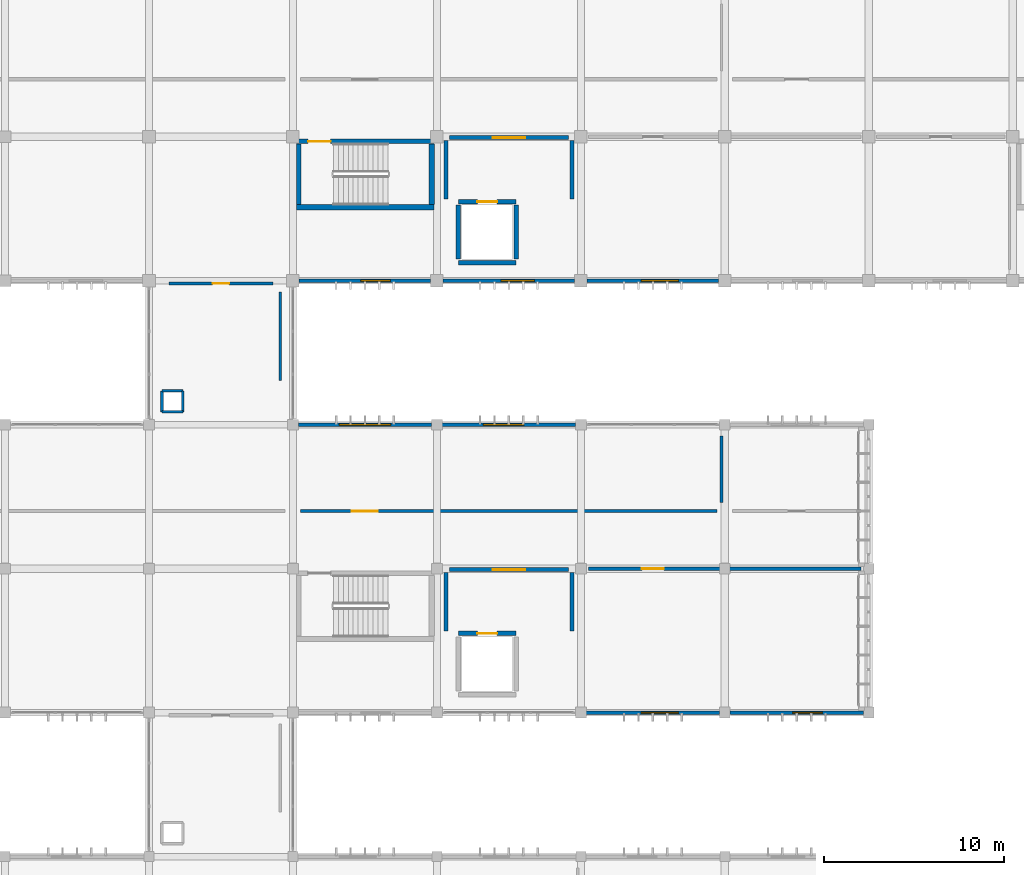
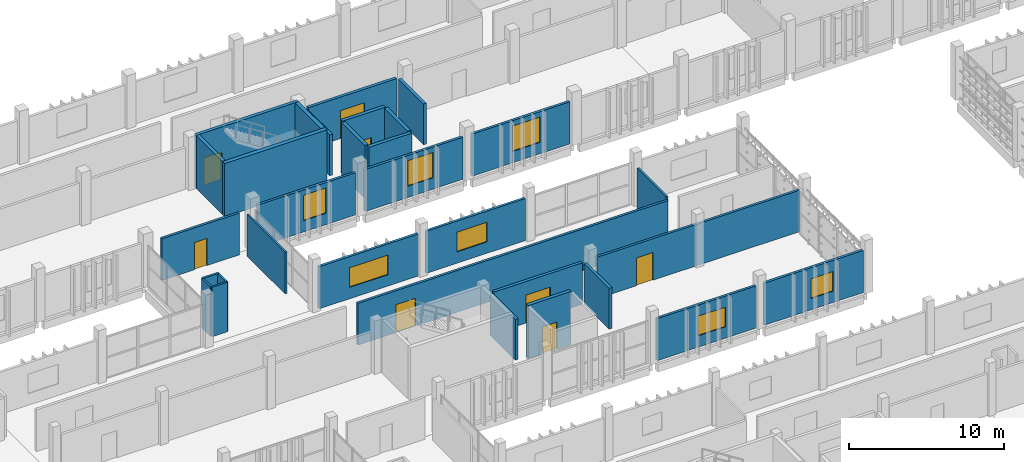
# One storey, part 68 of 83: 31 walls, 8 doors, 7 windows, 15 openings.
"""IFC4 building model written with IfcOpenShell, lengths in metres."""

from ifc_helpers import new_model, si_unit, direction, frame, frame_2d, origin, place, context, subcontext, project, spatial, rectangle, extrude, material, layer, layer_set, type_object, element, fill, save


model = new_model("IFC4")

# Units and contexts
model_context = context("Model", 3, precision=1e-05, world=origin(), true_north=direction((0.0, 1.0)))
body_context = subcontext(model_context, "Body", "Model", "MODEL_VIEW")
ifc_project = project(units=[si_unit("LENGTHUNIT", "METRE"), si_unit("AREAUNIT", "SQUARE_METRE"), si_unit("VOLUMEUNIT", "CUBIC_METRE"), si_unit("PLANEANGLEUNIT", "RADIAN"), si_unit("MASSUNIT", "GRAM", prefix="KILO")], contexts=[model_context])

# Site, building, storey
site_placement = place(None, origin())
site = spatial("IfcSite", under=ifc_project, at=site_placement, CompositionType="ELEMENT")
building_placement = place(site_placement, origin())
building = spatial("IfcBuilding", under=site, at=building_placement, Name="Jelvoka-Kovrelna Polytechnic", CompositionType="ELEMENT")
storey_placement = place(building_placement, frame((0.0, 0.0, 13.800048828125)))
storey = spatial("IfcBuildingStorey", under=building, at=storey_placement, Name="L04", CompositionType="ELEMENT", Elevation=13.800048828125)

# Wall, opening, door
ifc_material_1 = material(Name="Concrete C35/45", Category="concrete")
ifc_layer_1 = layer(ifc_material_1, 0.219970703125)
ifc_layer_set_1 = layer_set([ifc_layer_1], Name="Concrete C35/45")
wall_type_1 = type_object("IfcWallType", Name="Wall_Compartment_220", PredefinedType="PARTITIONING", material=ifc_layer_set_1)
wall_1_placement = place(storey_placement, frame((88.699951171875, 63.949951171875, 0.0), z_axis=(0.0, 0.0, 1.0), x_axis=(1.0, 0.0, 0.0)))
wall_1 = element("IfcWall", 1, at=wall_1_placement, inside=storey, type_object=wall_type_1, Name="L04 interior wall 0289", PredefinedType="PARTITIONING", context=body_context, shape_type="SweptSolid", body=[
    extrude(rectangle(XDim=6.60009765625, YDim=0.219970703125, at=frame_2d((3.300048828125, 0.0))), origin(), (0.0, 0.0, 1.0), 3.27490234375),
])
opening_1_placement = place(wall_1_placement, frame((2.39990234375, 0.0, 0.0)))
opening_1 = element("IfcOpeningElement", 2, at=opening_1_placement, cuts=wall_1, Name="Opening FD-L04-068", PredefinedType="OPENING", context=body_context, shape_type="SweptSolid", body=[
    extrude(rectangle(XDim=1.800048828125, YDim=2.199951171875, at=frame_2d((0.89990234375, 1.10009765625))), frame((0.0, 0.119873046875, 0.0), z_axis=(0.0, -1.0, 0.0), x_axis=(1.0, 0.0, 0.0)), (0.0, 0.0, 1.0), 0.239990234375),
])
ifc_material_2 = material(Name="Paired steel corridor fire door", Category="steel")
door_type_1 = type_object("IfcDoorType", Name="Door_Fire_FD03", OperationType="NOTDEFINED", PredefinedType="DOOR", material=ifc_material_2)
door_1_placement = place(opening_1_placement, origin())
door_1 = element("IfcDoor", 3, at=door_1_placement, inside=storey, type_object=door_type_1, Name="L04 interior door FD-L04-068", OperationType="DOUBLE_DOOR_SINGLE_SWING", OverallHeight=2.199951171875, OverallWidth=1.800048828125, PredefinedType="DOOR", context=body_context, shape_type="SweptSolid", body=[
    extrude(rectangle(XDim=1.800048828125, YDim=2.199951171875, at=frame_2d((0.89990234375, 1.10009765625))), frame((0.0, 0.02490234375, 0.0), z_axis=(0.0, -1.0, 0.0), x_axis=(1.0, 0.0, 0.0)), (0.0, 0.0, 1.0), 0.050048828125),
])
fill(opening_1, door_1)

# Walls
for number, where, z_axis, x_axis, name in (
    (4, (88.5, 60.550048828125, 0.0), (0.0, 0.0, 1.0), (0.0, 1.0, 0.0), "L04 interior wall 0290"),
    (5, (95.5, 60.550048828125, 0.0), (0.0, 0.0, 1.0), (0.0, 1.0, 0.0), "L04 interior wall 0291"),
):
    element("IfcWall", number, at=place(storey_placement, frame(where, z_axis=z_axis, x_axis=x_axis)), inside=storey, type_object=wall_type_1, Name=name, PredefinedType="PARTITIONING", context=body_context, shape_type="SweptSolid", body=[
        extrude(rectangle(XDim=3.25, YDim=0.219970703125, at=frame_2d((1.625, 0.0))), origin(), (0.0, 0.0, 1.0), 3.224853515625),
    ])

# Wall, opening, door
wall_2_placement = place(storey_placement, frame((88.699951171875, 39.949951171875, 0.0), z_axis=(0.0, 0.0, 1.0), x_axis=(1.0, 0.0, 0.0)))
wall_2 = element("IfcWall", 6, at=wall_2_placement, inside=storey, type_object=wall_type_1, Name="L04 interior wall 0431", PredefinedType="PARTITIONING", context=body_context, shape_type="SweptSolid", body=[
    extrude(rectangle(XDim=6.60009765625, YDim=0.219970703125, at=frame_2d((3.300048828125, 0.0))), origin(), (0.0, 0.0, 1.0), 3.27490234375),
])
opening_2_placement = place(wall_2_placement, frame((2.39990234375, 0.0, 0.0)))
opening_2 = element("IfcOpeningElement", 7, at=opening_2_placement, cuts=wall_2, Name="Opening FD-L04-086", PredefinedType="OPENING", context=body_context, shape_type="SweptSolid", body=[
    extrude(rectangle(XDim=1.800048828125, YDim=2.199951171875, at=frame_2d((0.89990234375, 1.10009765625))), frame((0.0, 0.119873046875, 0.0), z_axis=(0.0, -1.0, 0.0), x_axis=(1.0, 0.0, 0.0)), (0.0, 0.0, 1.0), 0.239990234375),
])
door_2_placement = place(opening_2_placement, origin())
door_2 = element("IfcDoor", 8, at=door_2_placement, inside=storey, type_object=door_type_1, Name="L04 interior door FD-L04-086", OperationType="DOUBLE_DOOR_SINGLE_SWING", OverallHeight=2.199951171875, OverallWidth=1.800048828125, PredefinedType="DOOR", context=body_context, shape_type="SweptSolid", body=[
    extrude(rectangle(XDim=1.800048828125, YDim=2.199951171875, at=frame_2d((0.89990234375, 1.10009765625))), frame((0.0, 0.02490234375, 0.0), z_axis=(0.0, -1.0, 0.0), x_axis=(1.0, 0.0, 0.0)), (0.0, 0.0, 1.0), 0.050048828125),
])
fill(opening_2, door_2)

# Walls
for number, where, z_axis, x_axis, name in (
    (9, (88.5, 36.550048828125, 0.0), (0.0, 0.0, 1.0), (0.0, 1.0, 0.0), "L04 interior wall 0432"),
    (10, (95.5, 36.550048828125, 0.0), (0.0, 0.0, 1.0), (0.0, 1.0, 0.0), "L04 interior wall 0433"),
):
    element("IfcWall", number, at=place(storey_placement, frame(where, z_axis=z_axis, x_axis=x_axis)), inside=storey, type_object=wall_type_1, Name=name, PredefinedType="PARTITIONING", context=body_context, shape_type="SweptSolid", body=[
        extrude(rectangle(XDim=3.25, YDim=0.219970703125, at=frame_2d((1.625, 0.0))), origin(), (0.0, 0.0, 1.0), 3.224853515625),
    ])

# Wall, opening, door
ifc_material_3 = material(Name="Concrete C40/50", Category="concrete")
ifc_layer_2 = layer(ifc_material_3, 0.25)
ifc_layer_set_2 = layer_set([ifc_layer_2], Name="Concrete C40/50")
wall_type_2 = type_object("IfcWallType", Name="Wall_Core_250", PredefinedType="SOLIDWALL", material=ifc_layer_set_2)
wall_3_placement = place(storey_placement, frame((80.199951171875, 63.739990234375, 0.0), z_axis=(0.0, 0.0, 1.0), x_axis=(1.0, 0.0, 0.0)))
wall_3 = element("IfcWall", 11, at=wall_3_placement, inside=storey, type_object=wall_type_2, Name="L04 interior wall 0163", PredefinedType="SOLIDWALL", context=body_context, shape_type="SweptSolid", body=[
    extrude(rectangle(XDim=7.650146484375, YDim=0.25, at=frame_2d((3.8251953125, 0.0))), origin(), (0.0, 0.0, 1.0), 4.199951171875),
])
opening_3_placement = place(wall_3_placement, frame((0.64990234375, 0.0, 0.0)))
opening_3 = element("IfcOpeningElement", 12, at=opening_3_placement, cuts=wall_3, Name="Opening SD-L04-041", PredefinedType="OPENING", context=body_context, shape_type="SweptSolid", body=[
    extrude(rectangle(XDim=1.25, YDim=2.14990234375, at=frame_2d((0.625, 1.074951171875))), frame((0.0, 0.135009765625, 0.0), z_axis=(0.0, -1.0, 0.0), x_axis=(1.0, 0.0, 0.0)), (0.0, 0.0, 1.0), 0.27001953125),
])
ifc_material_4 = material(Name="Powder-coated steel fire door", Category="steel")
door_type_2 = type_object("IfcDoorType", Name="Door_Fire_FD02", OperationType="NOTDEFINED", PredefinedType="DOOR", material=ifc_material_4)
door_3_placement = place(opening_3_placement, origin())
door_3 = element("IfcDoor", 13, at=door_3_placement, inside=storey, type_object=door_type_2, Name="L04 interior door SD-L04-041", OperationType="SINGLE_SWING_LEFT", OverallHeight=2.14990234375, OverallWidth=1.25, PredefinedType="DOOR", context=body_context, shape_type="SweptSolid", body=[
    extrude(rectangle(XDim=1.25, YDim=2.14990234375, at=frame_2d((0.625, 1.074951171875))), frame((0.0, 0.02490234375, 0.0), z_axis=(0.0, -1.0, 0.0), x_axis=(1.0, 0.0, 0.0)), (0.0, 0.0, 1.0), 0.050048828125),
])
fill(opening_3, door_3)

# Walls
wall_4_placement = place(storey_placement, frame((80.324951171875, 60.25, 0.0), z_axis=(0.0, 0.0, 1.0), x_axis=(0.0, 1.0, 0.0)))
element("IfcWall", 14, at=wall_4_placement, inside=storey, type_object=wall_type_2, Name="L04 interior wall 0164", PredefinedType="SOLIDWALL", context=body_context, shape_type="SweptSolid", body=[
    extrude(rectangle(XDim=3.360107421875, YDim=0.25, at=frame_2d((1.68017578125, 0.0))), origin(), (0.0, 0.0, 1.0), 4.199951171875),
])
wall_5_placement = place(storey_placement, frame((89.199951171875, 57.0, 0.0), z_axis=(0.0, 0.0, 1.0), x_axis=(1.0, 0.0, 0.0)))
element("IfcWall", 15, at=wall_5_placement, inside=storey, type_object=wall_type_2, Name="L04 interior wall 0285", PredefinedType="SOLIDWALL", context=body_context, shape_type="SweptSolid", body=[
    extrude(rectangle(XDim=3.199951171875, YDim=0.25, at=frame_2d((1.60009765625, 0.0))), origin(), (0.0, 0.0, 1.0), 4.199951171875),
])

# Wall, opening, door
wall_6_placement = place(storey_placement, frame((89.199951171875, 60.39990234375, 0.0), z_axis=(0.0, 0.0, 1.0), x_axis=(1.0, 0.0, 0.0)))
wall_6 = element("IfcWall", 16, at=wall_6_placement, inside=storey, type_object=wall_type_2, Name="L04 interior wall 0286", PredefinedType="SOLIDWALL", context=body_context, shape_type="SweptSolid", body=[
    extrude(rectangle(XDim=3.199951171875, YDim=0.25, at=frame_2d((1.60009765625, 0.0))), origin(), (0.0, 0.0, 1.0), 4.199951171875),
])
opening_4_placement = place(wall_6_placement, frame((1.050048828125, 0.0, 0.0)))
opening_4 = element("IfcOpeningElement", 17, at=opening_4_placement, cuts=wall_6, Name="Opening LD-L04-05", PredefinedType="OPENING", context=body_context, shape_type="SweptSolid", body=[
    extrude(rectangle(XDim=1.10009765625, YDim=2.14990234375, at=frame_2d((0.550048828125, 1.074951171875))), frame((0.0, 0.135009765625, 0.0), z_axis=(0.0, -1.0, 0.0), x_axis=(1.0, 0.0, 0.0)), (0.0, 0.0, 1.0), 0.27001953125),
])
ifc_material_5 = material(Name="Brushed stainless steel sliding landing door", Category="steel")
door_type_3 = type_object("IfcDoorType", Name="Door_Lift_LD01", OperationType="NOTDEFINED", PredefinedType="DOOR", material=ifc_material_5)
door_4_placement = place(opening_4_placement, origin())
door_4 = element("IfcDoor", 18, at=door_4_placement, inside=storey, type_object=door_type_3, Name="L04 lift landing sliding door LD-L04-05", OperationType="DOUBLE_DOOR_SLIDING", OverallHeight=2.14990234375, OverallWidth=1.10009765625, PredefinedType="DOOR", context=body_context, shape_type="SweptSolid", body=[
    extrude(rectangle(XDim=1.10009765625, YDim=2.14990234375, at=frame_2d((0.550048828125, 1.074951171875))), frame((0.0, 0.02490234375, 0.0), z_axis=(0.0, -1.0, 0.0), x_axis=(1.0, 0.0, 0.0)), (0.0, 0.0, 1.0), 0.050048828125),
])
fill(opening_4, door_4)

# Walls
for number, where, z_axis, x_axis, name in (
    (19, (89.199951171875, 57.199951171875, 0.0), (0.0, 0.0, 1.0), (0.0, 1.0, 0.0), "L04 interior wall 0287"),
    (20, (92.39990234375, 57.199951171875, 0.0), (0.0, 0.0, 1.0), (0.0, 1.0, 0.0), "L04 interior wall 0288"),
):
    element("IfcWall", number, at=place(storey_placement, frame(where, z_axis=z_axis, x_axis=x_axis)), inside=storey, type_object=wall_type_2, Name=name, PredefinedType="SOLIDWALL", context=body_context, shape_type="SweptSolid", body=[
        extrude(rectangle(XDim=3.0, YDim=0.25, at=frame_2d((1.5, 0.0))), origin(), (0.0, 0.0, 1.0), 4.199951171875),
    ])

# Wall, opening, door
wall_7_placement = place(storey_placement, frame((89.199951171875, 36.39990234375, 0.0), z_axis=(0.0, 0.0, 1.0), x_axis=(1.0, 0.0, 0.0)))
wall_7 = element("IfcWall", 21, at=wall_7_placement, inside=storey, type_object=wall_type_2, Name="L04 interior wall 0428", PredefinedType="SOLIDWALL", context=body_context, shape_type="SweptSolid", body=[
    extrude(rectangle(XDim=3.199951171875, YDim=0.25, at=frame_2d((1.60009765625, 0.0))), origin(), (0.0, 0.0, 1.0), 4.199951171875),
])
opening_5_placement = place(wall_7_placement, frame((1.050048828125, 0.0, 0.0)))
opening_5 = element("IfcOpeningElement", 22, at=opening_5_placement, cuts=wall_7, Name="Opening LD-L04-23", PredefinedType="OPENING", context=body_context, shape_type="SweptSolid", body=[
    extrude(rectangle(XDim=1.10009765625, YDim=2.14990234375, at=frame_2d((0.550048828125, 1.074951171875))), frame((0.0, 0.135009765625, 0.0), z_axis=(0.0, -1.0, 0.0), x_axis=(1.0, 0.0, 0.0)), (0.0, 0.0, 1.0), 0.27001953125),
])
door_5_placement = place(opening_5_placement, origin())
door_5 = element("IfcDoor", 23, at=door_5_placement, inside=storey, type_object=door_type_3, Name="L04 lift landing sliding door LD-L04-23", OperationType="DOUBLE_DOOR_SLIDING", OverallHeight=2.14990234375, OverallWidth=1.10009765625, PredefinedType="DOOR", context=body_context, shape_type="SweptSolid", body=[
    extrude(rectangle(XDim=1.10009765625, YDim=2.14990234375, at=frame_2d((0.550048828125, 1.074951171875))), frame((0.0, 0.02490234375, 0.0), z_axis=(0.0, -1.0, 0.0), x_axis=(1.0, 0.0, 0.0)), (0.0, 0.0, 1.0), 0.050048828125),
])
fill(opening_5, door_5)

ifc_material_6 = material(Name="Autoclaved aerated concrete blockwork", Category="masonry")
ifc_layer_3 = layer(ifc_material_6, 0.179931640625)
ifc_layer_set_3 = layer_set([ifc_layer_3], Name="Autoclaved aerated concrete blockwork")
wall_type_3 = type_object("IfcWallType", Name="Wall_Corridor_180", PredefinedType="PARTITIONING", material=ifc_layer_set_3)
wall_8_placement = place(storey_placement, frame((96.429931640625, 40.0, 0.0), z_axis=(0.0, 0.0, 1.0), x_axis=(1.0, 0.0, 0.0)))
wall_8 = element("IfcWall", 24, at=wall_8_placement, inside=storey, type_object=wall_type_3, Name="L04 interior wall 1123", PredefinedType="PARTITIONING", context=body_context, shape_type="SweptSolid", body=[
    extrude(rectangle(XDim=15.14013671875, YDim=0.179931640625, at=frame_2d((7.570068359375, 0.0))), origin(), (0.0, 0.0, 1.0), 3.27490234375),
])
opening_6_placement = place(wall_8_placement, frame((2.9599609375, 0.0, 0.0)))
opening_6 = element("IfcOpeningElement", 25, at=opening_6_placement, cuts=wall_8, Name="Opening D-L04-340", PredefinedType="OPENING", context=body_context, shape_type="SweptSolid", body=[
    extrude(rectangle(XDim=1.219970703125, YDim=2.179931640625, at=frame_2d((0.60986328125, 1.08984375))), frame((0.0, 0.099853515625, 0.0), z_axis=(0.0, -1.0, 0.0), x_axis=(1.0, 0.0, 0.0)), (0.0, 0.0, 1.0), 0.199951171875),
])
ifc_material_7 = material(Name="Hardwood fire-resisting laboratory door", Category="wood")
door_type_4 = type_object("IfcDoorType", Name="Door_Fire_FD30_04", OperationType="NOTDEFINED", PredefinedType="DOOR", material=ifc_material_7)
door_6_placement = place(opening_6_placement, origin())
door_6 = element("IfcDoor", 26, at=door_6_placement, inside=storey, type_object=door_type_4, Name="L04 interior door D-L04-340", OperationType="SINGLE_SWING_RIGHT", OverallHeight=2.179931640625, OverallWidth=1.219970703125, PredefinedType="DOOR", context=body_context, shape_type="SweptSolid", body=[
    extrude(rectangle(XDim=1.219970703125, YDim=2.179931640625, at=frame_2d((0.60986328125, 1.08984375))), frame((0.0, 0.02490234375, 0.0), z_axis=(0.0, -1.0, 0.0), x_axis=(1.0, 0.0, 0.0)), (0.0, 0.0, 1.0), 0.050048828125),
])
fill(opening_6, door_6)

wall_9_placement = place(storey_placement, frame((80.429931640625, 43.199951171875, 0.0), z_axis=(0.0, 0.0, 1.0), x_axis=(1.0, 0.0, 0.0)))
wall_9 = element("IfcWall", 27, at=wall_9_placement, inside=storey, type_object=wall_type_3, Name="L04 interior wall 1125", PredefinedType="PARTITIONING", context=body_context, shape_type="SweptSolid", body=[
    extrude(rectangle(XDim=23.14013671875, YDim=0.179931640625, at=frame_2d((11.570068359375, 0.0))), origin(), (0.0, 0.0, 1.0), 3.300048828125),
])
opening_7_placement = place(wall_9_placement, frame((2.85009765625, 0.0, 0.0)))
opening_7 = element("IfcOpeningElement", 28, at=opening_7_placement, cuts=wall_9, Name="Opening D-L04-342", PredefinedType="OPENING", context=body_context, shape_type="SweptSolid", body=[
    extrude(rectangle(XDim=1.43994140625, YDim=2.199951171875, at=frame_2d((0.719970703125, 1.10009765625))), frame((0.0, 0.099853515625, 0.0), z_axis=(0.0, -1.0, 0.0), x_axis=(1.0, 0.0, 0.0)), (0.0, 0.0, 1.0), 0.199951171875),
])
ifc_material_8 = material(Name="Paired hardwood fire-resisting lab door", Category="wood")
door_type_5 = type_object("IfcDoorType", Name="Door_Fire_FD30_06", OperationType="NOTDEFINED", PredefinedType="DOOR", material=ifc_material_8)
door_7_placement = place(opening_7_placement, origin())
door_7 = element("IfcDoor", 29, at=door_7_placement, inside=storey, type_object=door_type_5, Name="L04 interior door D-L04-342", OperationType="DOUBLE_DOOR_SINGLE_SWING", OverallHeight=2.199951171875, OverallWidth=1.43994140625, PredefinedType="DOOR", context=body_context, shape_type="SweptSolid", body=[
    extrude(rectangle(XDim=1.43994140625, YDim=2.199951171875, at=frame_2d((0.719970703125, 1.10009765625))), frame((0.0, 0.02490234375, 0.0), z_axis=(0.0, -1.0, 0.0), x_axis=(1.0, 0.0, 0.0)), (0.0, 0.0, 1.0), 0.050048828125),
])
fill(opening_7, door_7)

wall_10_placement = place(storey_placement, frame((73.10009765625, 55.85009765625, 0.0), z_axis=(0.0, 0.0, 1.0), x_axis=(1.0, 0.0, 0.0)))
wall_10 = element("IfcWall", 30, at=wall_10_placement, inside=storey, type_object=wall_type_3, Name="L04 interior wall 1155", PredefinedType="PARTITIONING", context=body_context, shape_type="SweptSolid", body=[
    extrude(rectangle(XDim=5.7998046875, YDim=0.179931640625, at=frame_2d((2.89990234375, 0.0))), origin(), (0.0, 0.0, 1.0), 3.300048828125),
])
opening_8_placement = place(wall_10_placement, frame((2.43994140625, 0.0, 0.0)))
opening_8 = element("IfcOpeningElement", 31, at=opening_8_placement, cuts=wall_10, Name="Opening D-L04-363", PredefinedType="OPENING", context=body_context, shape_type="SweptSolid", body=[
    extrude(rectangle(XDim=0.919921875, YDim=2.14990234375, at=frame_2d((0.4599609375, 1.074951171875))), frame((0.0, 0.099853515625, 0.0), z_axis=(0.0, -1.0, 0.0), x_axis=(1.0, 0.0, 0.0)), (0.0, 0.0, 1.0), 0.199951171875),
])
ifc_material_9 = material(Name="Hardwood solid-core door", Category="wood")
door_type_6 = type_object("IfcDoorType", Name="Door_Int_D06", OperationType="NOTDEFINED", PredefinedType="DOOR", material=ifc_material_9)
door_8_placement = place(opening_8_placement, origin())
door_8 = element("IfcDoor", 32, at=door_8_placement, inside=storey, type_object=door_type_6, Name="L04 interior door D-L04-363", OperationType="SINGLE_SWING_RIGHT", OverallHeight=2.14990234375, OverallWidth=0.919921875, PredefinedType="DOOR", context=body_context, shape_type="SweptSolid", body=[
    extrude(rectangle(XDim=0.919921875, YDim=2.14990234375, at=frame_2d((0.4599609375, 1.074951171875))), frame((0.0, 0.02490234375, 0.0), z_axis=(0.0, -1.0, 0.0), x_axis=(1.0, 0.0, 0.0)), (0.0, 0.0, 1.0), 0.050048828125),
])
fill(opening_8, door_8)

# Wall, opening, window
ifc_material_10 = material(Name="Precast concrete C40/50", Category="concrete")
ifc_layer_4 = layer(ifc_material_10, 0.18505859375)
ifc_layer_set_4 = layer_set([ifc_layer_4], Name="Precast concrete C40/50")
wall_type_4 = type_object("IfcWallType", Name="Wall_Ext_White_260", PredefinedType="STANDARD", material=ifc_layer_set_4)
wall_11_placement = place(storey_placement, frame((80.297119140625, 48.0, 0.0), z_axis=(0.0, 0.0, 1.0), x_axis=(1.0, 0.0, 0.0)))
wall_11 = element("IfcWall", 33, at=wall_11_placement, inside=storey, type_object=wall_type_4, Name="L04 exterior wall 0403", PredefinedType="STANDARD", context=body_context, shape_type="SweptSolid", body=[
    extrude(rectangle(XDim=7.40576171875, YDim=0.18505859375, at=frame_2d((3.702880859375, 0.0))), origin(), (0.0, 0.0, 1.0), 3.324951171875),
])
opening_9_placement = place(wall_11_placement, frame((2.282958984375, 0.0, 0.89990234375)))
opening_9 = element("IfcOpeningElement", 34, at=opening_9_placement, cuts=wall_11, Name="Opening W-L04-140", PredefinedType="OPENING", context=body_context, shape_type="SweptSolid", body=[
    extrude(rectangle(XDim=2.85009765625, YDim=1.550048828125, at=frame_2d((1.425048828125, 0.77490234375))), frame((0.0, 0.1025390625, 0.0), z_axis=(0.0, -1.0, 0.0), x_axis=(1.0, 0.0, 0.0)), (0.0, 0.0, 1.0), 0.205078125),
])
ifc_material_11 = material(Name="Thermally broken anodised aluminium and low-e glazing", Category="aluminium")
window_type_1 = type_object("IfcWindowType", Name="Win_Casement_W30", PartitioningType="DOUBLE_PANEL_VERTICAL", PredefinedType="WINDOW", material=ifc_material_11)
window_1_placement = place(opening_9_placement, origin())
window_1 = element("IfcWindow", 35, at=window_1_placement, inside=storey, type_object=window_type_1, Name="L04 aluminium casement window W-L04-140", OverallHeight=1.550048828125, OverallWidth=2.85009765625, PartitioningType="DOUBLE_PANEL_VERTICAL", PredefinedType="WINDOW", context=body_context, shape_type="SweptSolid", body=[
    extrude(rectangle(XDim=2.85009765625, YDim=1.550048828125, at=frame_2d((1.425048828125, 0.77490234375))), frame((0.0, 0.030029296875, 0.0), z_axis=(0.0, -1.0, 0.0), x_axis=(1.0, 0.0, 0.0)), (0.0, 0.0, 1.0), 0.06005859375),
])
fill(opening_9, window_1)

wall_12_placement = place(storey_placement, frame((88.297119140625, 48.0, 0.0), z_axis=(0.0, 0.0, 1.0), x_axis=(1.0, 0.0, 0.0)))
wall_12 = element("IfcWall", 36, at=wall_12_placement, inside=storey, type_object=wall_type_4, Name="L04 exterior wall 0404", PredefinedType="STANDARD", context=body_context, shape_type="SweptSolid", body=[
    extrude(rectangle(XDim=7.40576171875, YDim=0.18505859375, at=frame_2d((3.702880859375, 0.0))), origin(), (0.0, 0.0, 1.0), 3.324951171875),
])
opening_10_placement = place(wall_12_placement, frame((2.282958984375, 0.0, 0.89990234375)))
opening_10 = element("IfcOpeningElement", 37, at=opening_10_placement, cuts=wall_12, Name="Opening W-L04-141", PredefinedType="OPENING", context=body_context, shape_type="SweptSolid", body=[
    extrude(rectangle(XDim=2.25, YDim=1.550048828125, at=frame_2d((1.125, 0.77490234375))), frame((0.0, 0.1025390625, 0.0), z_axis=(0.0, -1.0, 0.0), x_axis=(1.0, 0.0, 0.0)), (0.0, 0.0, 1.0), 0.205078125),
])
ifc_material_12 = material(Name="Thermally broken anodised aluminium and low-e glazing", Category="aluminium")
window_type_2 = type_object("IfcWindowType", Name="Win_Casement_W27", PartitioningType="DOUBLE_PANEL_VERTICAL", PredefinedType="WINDOW", material=ifc_material_12)
window_2_placement = place(opening_10_placement, origin())
window_2 = element("IfcWindow", 38, at=window_2_placement, inside=storey, type_object=window_type_2, Name="L04 aluminium casement window W-L04-141", OverallHeight=1.550048828125, OverallWidth=2.25, PartitioningType="DOUBLE_PANEL_VERTICAL", PredefinedType="WINDOW", context=body_context, shape_type="SweptSolid", body=[
    extrude(rectangle(XDim=2.25, YDim=1.550048828125, at=frame_2d((1.125, 0.77490234375))), frame((0.0, 0.030029296875, 0.0), z_axis=(0.0, -1.0, 0.0), x_axis=(1.0, 0.0, 0.0)), (0.0, 0.0, 1.0), 0.06005859375),
])
fill(opening_10, window_2)

wall_13_placement = place(storey_placement, frame((103.702880859375, 32.0, 0.0), z_axis=(0.0, 0.0, 1.0), x_axis=(-1.0, 0.0, 0.0)))
wall_13 = element("IfcWall", 39, at=wall_13_placement, inside=storey, type_object=wall_type_4, Name="L04 exterior wall 0405", PredefinedType="STANDARD", context=body_context, shape_type="SweptSolid", body=[
    extrude(rectangle(XDim=7.40576171875, YDim=0.18505859375, at=frame_2d((3.702880859375, 0.0))), origin(), (0.0, 0.0, 1.0), 3.324951171875),
])
opening_11_placement = place(wall_13_placement, frame((2.282958984375, 0.0, 0.89990234375)))
opening_11 = element("IfcOpeningElement", 40, at=opening_11_placement, cuts=wall_13, Name="Opening W-L04-142", PredefinedType="OPENING", context=body_context, shape_type="SweptSolid", body=[
    extrude(rectangle(XDim=2.050048828125, YDim=1.550048828125, at=frame_2d((1.02490234375, 0.77490234375))), frame((0.0, 0.1025390625, 0.0), z_axis=(0.0, -1.0, 0.0), x_axis=(1.0, 0.0, 0.0)), (0.0, 0.0, 1.0), 0.205078125),
])
ifc_material_13 = material(Name="Thermally broken anodised aluminium and low-e glazing", Category="aluminium")
window_type_3 = type_object("IfcWindowType", Name="Win_Casement_W26", PartitioningType="DOUBLE_PANEL_VERTICAL", PredefinedType="WINDOW", material=ifc_material_13)
window_3_placement = place(opening_11_placement, origin())
window_3 = element("IfcWindow", 41, at=window_3_placement, inside=storey, type_object=window_type_3, Name="L04 aluminium casement window W-L04-142", OverallHeight=1.550048828125, OverallWidth=2.050048828125, PartitioningType="DOUBLE_PANEL_VERTICAL", PredefinedType="WINDOW", context=body_context, shape_type="SweptSolid", body=[
    extrude(rectangle(XDim=2.050048828125, YDim=1.550048828125, at=frame_2d((1.02490234375, 0.77490234375))), frame((0.0, 0.030029296875, 0.0), z_axis=(0.0, -1.0, 0.0), x_axis=(1.0, 0.0, 0.0)), (0.0, 0.0, 1.0), 0.06005859375),
])
fill(opening_11, window_3)

wall_14_placement = place(storey_placement, frame((111.702880859375, 32.0, 0.0), z_axis=(0.0, 0.0, 1.0), x_axis=(-1.0, 0.0, 0.0)))
wall_14 = element("IfcWall", 42, at=wall_14_placement, inside=storey, type_object=wall_type_4, Name="L04 exterior wall 0406", PredefinedType="STANDARD", context=body_context, shape_type="SweptSolid", body=[
    extrude(rectangle(XDim=7.40576171875, YDim=0.18505859375, at=frame_2d((3.702880859375, 0.0))), origin(), (0.0, 0.0, 1.0), 3.324951171875),
])
opening_12_placement = place(wall_14_placement, frame((2.282958984375, 0.0, 0.89990234375)))
opening_12 = element("IfcOpeningElement", 43, at=opening_12_placement, cuts=wall_14, Name="Opening W-L04-143", PredefinedType="OPENING", context=body_context, shape_type="SweptSolid", body=[
    extrude(rectangle(XDim=1.64990234375, YDim=1.550048828125, at=frame_2d((0.824951171875, 0.77490234375))), frame((0.0, 0.1025390625, 0.0), z_axis=(0.0, -1.0, 0.0), x_axis=(1.0, 0.0, 0.0)), (0.0, 0.0, 1.0), 0.205078125),
])
ifc_material_14 = material(Name="Thermally broken anodised aluminium and low-e glazing", Category="aluminium")
window_type_4 = type_object("IfcWindowType", Name="Win_Casement_W24", PartitioningType="DOUBLE_PANEL_VERTICAL", PredefinedType="WINDOW", material=ifc_material_14)
window_4_placement = place(opening_12_placement, origin())
window_4 = element("IfcWindow", 44, at=window_4_placement, inside=storey, type_object=window_type_4, Name="L04 aluminium casement window W-L04-143", OverallHeight=1.550048828125, OverallWidth=1.64990234375, PartitioningType="DOUBLE_PANEL_VERTICAL", PredefinedType="WINDOW", context=body_context, shape_type="SweptSolid", body=[
    extrude(rectangle(XDim=1.64990234375, YDim=1.550048828125, at=frame_2d((0.824951171875, 0.77490234375))), frame((0.0, 0.030029296875, 0.0), z_axis=(0.0, -1.0, 0.0), x_axis=(1.0, 0.0, 0.0)), (0.0, 0.0, 1.0), 0.06005859375),
])
fill(opening_12, window_4)

wall_15_placement = place(storey_placement, frame((87.653076171875, 56.0, 0.0), z_axis=(0.0, 0.0, 1.0), x_axis=(-1.0, 0.0, 0.0)))
wall_15 = element("IfcWall", 45, at=wall_15_placement, inside=storey, type_object=wall_type_4, Name="L04 exterior wall 0680", PredefinedType="STANDARD", context=body_context, shape_type="SweptSolid", body=[
    extrude(rectangle(XDim=7.30615234375, YDim=0.18505859375, at=frame_2d((3.653076171875, 0.0))), origin(), (0.0, 0.0, 1.0), 3.324951171875),
])
opening_13_placement = place(wall_15_placement, frame((2.23291015625, 0.0, 0.89990234375)))
opening_13 = element("IfcOpeningElement", 46, at=opening_13_placement, cuts=wall_15, Name="Opening W-L04-346", PredefinedType="OPENING", context=body_context, shape_type="SweptSolid", body=[
    extrude(rectangle(XDim=1.64990234375, YDim=2.0, at=frame_2d((0.824951171875, 1.0))), frame((0.0, 0.1025390625, 0.0), z_axis=(0.0, -1.0, 0.0), x_axis=(1.0, 0.0, 0.0)), (0.0, 0.0, 1.0), 0.205078125),
])
ifc_material_15 = material(Name="Thermally broken anodised aluminium and low-e glazing", Category="aluminium")
window_type_5 = type_object("IfcWindowType", Name="Win_Casement_W54", PartitioningType="DOUBLE_PANEL_VERTICAL", PredefinedType="WINDOW", material=ifc_material_15)
window_5_placement = place(opening_13_placement, origin())
window_5 = element("IfcWindow", 47, at=window_5_placement, inside=storey, type_object=window_type_5, Name="L04 aluminium casement window W-L04-346", OverallHeight=2.0, OverallWidth=1.64990234375, PartitioningType="DOUBLE_PANEL_VERTICAL", PredefinedType="WINDOW", context=body_context, shape_type="SweptSolid", body=[
    extrude(rectangle(XDim=1.64990234375, YDim=2.0, at=frame_2d((0.824951171875, 1.0))), frame((0.0, 0.030029296875, 0.0), z_axis=(0.0, -1.0, 0.0), x_axis=(1.0, 0.0, 0.0)), (0.0, 0.0, 1.0), 0.06005859375),
])
fill(opening_13, window_5)

wall_16_placement = place(storey_placement, frame((95.653076171875, 56.0, 0.0), z_axis=(0.0, 0.0, 1.0), x_axis=(-1.0, 0.0, 0.0)))
wall_16 = element("IfcWall", 48, at=wall_16_placement, inside=storey, type_object=wall_type_4, Name="L04 exterior wall 0682", PredefinedType="STANDARD", context=body_context, shape_type="SweptSolid", body=[
    extrude(rectangle(XDim=7.30615234375, YDim=0.18505859375, at=frame_2d((3.653076171875, 0.0))), origin(), (0.0, 0.0, 1.0), 3.324951171875),
])
opening_14_placement = place(wall_16_placement, frame((2.23291015625, 0.0, 0.89990234375)))
opening_14 = element("IfcOpeningElement", 49, at=opening_14_placement, cuts=wall_16, Name="Opening W-L04-348", PredefinedType="OPENING", context=body_context, shape_type="SweptSolid", body=[
    extrude(rectangle(XDim=1.85009765625, YDim=2.0, at=frame_2d((0.925048828125, 1.0))), frame((0.0, 0.1025390625, 0.0), z_axis=(0.0, -1.0, 0.0), x_axis=(1.0, 0.0, 0.0)), (0.0, 0.0, 1.0), 0.205078125),
])
ifc_material_16 = material(Name="Thermally broken anodised aluminium and low-e glazing", Category="aluminium")
window_type_6 = type_object("IfcWindowType", Name="Win_Casement_W55", PartitioningType="DOUBLE_PANEL_VERTICAL", PredefinedType="WINDOW", material=ifc_material_16)
window_6_placement = place(opening_14_placement, origin())
window_6 = element("IfcWindow", 50, at=window_6_placement, inside=storey, type_object=window_type_6, Name="L04 aluminium casement window W-L04-348", OverallHeight=2.0, OverallWidth=1.85009765625, PartitioningType="DOUBLE_PANEL_VERTICAL", PredefinedType="WINDOW", context=body_context, shape_type="SweptSolid", body=[
    extrude(rectangle(XDim=1.85009765625, YDim=2.0, at=frame_2d((0.925048828125, 1.0))), frame((0.0, 0.030029296875, 0.0), z_axis=(0.0, -1.0, 0.0), x_axis=(1.0, 0.0, 0.0)), (0.0, 0.0, 1.0), 0.06005859375),
])
fill(opening_14, window_6)

wall_17_placement = place(storey_placement, frame((103.653076171875, 56.0, 0.0), z_axis=(0.0, 0.0, 1.0), x_axis=(-1.0, 0.0, 0.0)))
wall_17 = element("IfcWall", 51, at=wall_17_placement, inside=storey, type_object=wall_type_4, Name="L04 exterior wall 0684", PredefinedType="STANDARD", context=body_context, shape_type="SweptSolid", body=[
    extrude(rectangle(XDim=7.30615234375, YDim=0.18505859375, at=frame_2d((3.653076171875, 0.0))), origin(), (0.0, 0.0, 1.0), 3.324951171875),
])
opening_15_placement = place(wall_17_placement, frame((2.23291015625, 0.0, 0.89990234375)))
opening_15 = element("IfcOpeningElement", 52, at=opening_15_placement, cuts=wall_17, Name="Opening W-L04-350", PredefinedType="OPENING", context=body_context, shape_type="SweptSolid", body=[
    extrude(rectangle(XDim=2.050048828125, YDim=2.0, at=frame_2d((1.02490234375, 1.0))), frame((0.0, 0.1025390625, 0.0), z_axis=(0.0, -1.0, 0.0), x_axis=(1.0, 0.0, 0.0)), (0.0, 0.0, 1.0), 0.205078125),
])
ifc_material_17 = material(Name="Thermally broken anodised aluminium and low-e glazing", Category="aluminium")
window_type_7 = type_object("IfcWindowType", Name="Win_Casement_W56", PartitioningType="DOUBLE_PANEL_VERTICAL", PredefinedType="WINDOW", material=ifc_material_17)
window_7_placement = place(opening_15_placement, origin())
window_7 = element("IfcWindow", 53, at=window_7_placement, inside=storey, type_object=window_type_7, Name="L04 aluminium casement window W-L04-350", OverallHeight=2.0, OverallWidth=2.050048828125, PartitioningType="DOUBLE_PANEL_VERTICAL", PredefinedType="WINDOW", context=body_context, shape_type="SweptSolid", body=[
    extrude(rectangle(XDim=2.050048828125, YDim=2.0, at=frame_2d((1.02490234375, 1.0))), frame((0.0, 0.030029296875, 0.0), z_axis=(0.0, -1.0, 0.0), x_axis=(1.0, 0.0, 0.0)), (0.0, 0.0, 1.0), 0.06005859375),
])
fill(opening_15, window_7)

# Walls
ifc_material_18 = material(Name="Acoustic operable studio partition", Category="wood")
ifc_layer_5 = layer(ifc_material_18, 0.1298828125)
ifc_layer_set_5 = layer_set([ifc_layer_5], Name="Acoustic operable studio partition")
wall_type_5 = type_object("IfcWallType", Name="Wall_Movable_130", PredefinedType="MOVABLE", material=ifc_layer_set_5)
wall_18_placement = place(storey_placement, frame((79.300048828125, 50.469970703125, 0.0), z_axis=(0.0, 0.0, 1.0), x_axis=(0.0, 1.0, 0.0)))
element("IfcWall", 54, at=wall_18_placement, inside=storey, type_object=wall_type_5, Name="L04 interior wall 1156", PredefinedType="MOVABLE", context=body_context, shape_type="SweptSolid", body=[
    extrude(rectangle(XDim=4.909912109375, YDim=0.1298828125, at=frame_2d((2.455078125, 0.0))), origin(), (0.0, 0.0, 1.0), 3.300048828125),
])
ifc_material_19 = material(Name="Autoclaved aerated concrete blockwork", Category="masonry")
ifc_layer_6 = layer(ifc_material_19, 0.14990234375)
ifc_layer_set_6 = layer_set([ifc_layer_6], Name="Autoclaved aerated concrete blockwork")
wall_type_6 = type_object("IfcWallType", Name="Wall_Partition_150", PredefinedType="PARTITIONING", material=ifc_layer_set_6)
for number, where, z_axis, x_axis, name in (
    (55, (72.719970703125, 48.719970703125, 0.0), (0.0, 0.0, 1.0), (1.0, 0.0, 0.0), "L04 interior wall 0752"),
    (56, (73.8798828125, 48.719970703125, 0.0), (0.0, 0.0, 1.0), (0.0, 1.0, 0.0), "L04 interior wall 0753"),
    (57, (73.8798828125, 49.8798828125, 0.0), (0.0, 0.0, 1.0), (-1.0, 0.0, 0.0), "L04 interior wall 0754"),
    (58, (72.719970703125, 49.8798828125, 0.0), (0.0, 0.0, 1.0), (0.0, -1.0, 0.0), "L04 interior wall 0755"),
):
    element("IfcWall", number, at=place(storey_placement, frame(where, z_axis=z_axis, x_axis=x_axis)), inside=storey, type_object=wall_type_6, Name=name, PredefinedType="PARTITIONING", context=body_context, shape_type="SweptSolid", body=[
        extrude(rectangle(XDim=1.159912109375, YDim=0.14990234375, at=frame_2d((0.580078125, 0.0))), origin(), (0.0, 0.0, 1.0), 3.89990234375),
    ])
wall_19_placement = place(storey_placement, frame((103.820068359375, 43.669921875, 0.0), z_axis=(0.0, 0.0, 1.0), x_axis=(0.0, 1.0, 0.0)))
element("IfcWall", 59, at=wall_19_placement, inside=storey, type_object=wall_type_6, Name="L04 interior wall 1126", PredefinedType="PARTITIONING", context=body_context, shape_type="SweptSolid", body=[
    extrude(rectangle(XDim=3.7099609375, YDim=0.14990234375, at=frame_2d((1.85498046875, 0.0))), origin(), (0.0, 0.0, 1.0), 3.224853515625),
])
ifc_material_20 = material(Name="Concrete C40/50", Category="concrete")
ifc_layer_7 = layer(ifc_material_20, 0.300048828125)
ifc_layer_set_7 = layer_set([ifc_layer_7], Name="Concrete C40/50")
wall_type_7 = type_object("IfcWallType", Name="Wall_Shear_300", PredefinedType="SHEAR", material=ifc_layer_set_7)
wall_20_placement = place(storey_placement, frame((80.199951171875, 60.090087890625, 0.0), z_axis=(0.0, 0.0, 1.0), x_axis=(1.0, 0.0, 0.0)))
element("IfcWall", 60, at=wall_20_placement, inside=storey, type_object=wall_type_7, Name="L04 interior wall 0161", PredefinedType="SHEAR", context=body_context, shape_type="SweptSolid", body=[
    extrude(rectangle(XDim=7.650146484375, YDim=0.300048828125, at=frame_2d((3.8251953125, 0.0))), origin(), (0.0, 0.0, 1.0), 4.199951171875),
])
wall_21_placement = place(storey_placement, frame((87.7099609375, 60.25, 0.0), z_axis=(0.0, 0.0, 1.0), x_axis=(0.0, 1.0, 0.0)))
element("IfcWall", 61, at=wall_21_placement, inside=storey, type_object=wall_type_7, Name="L04 interior wall 0162", PredefinedType="SHEAR", context=body_context, shape_type="SweptSolid", body=[
    extrude(rectangle(XDim=3.360107421875, YDim=0.300048828125, at=frame_2d((1.68017578125, 0.0))), origin(), (0.0, 0.0, 1.0), 4.199951171875),
])

save(model, "model.ifc")
